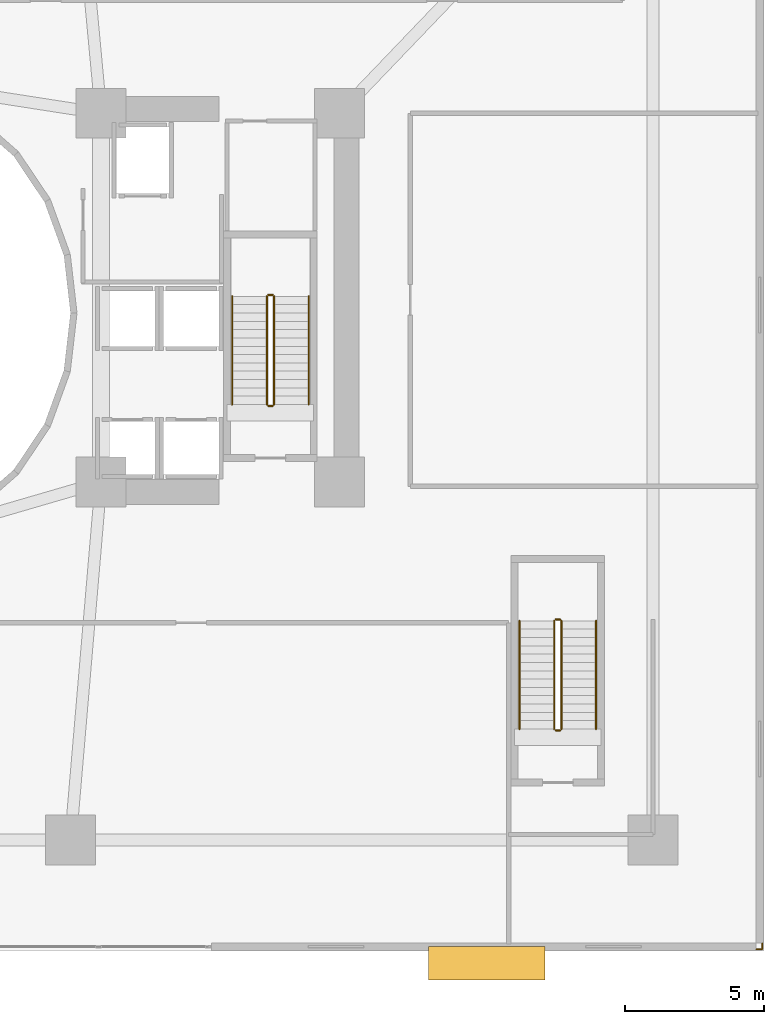
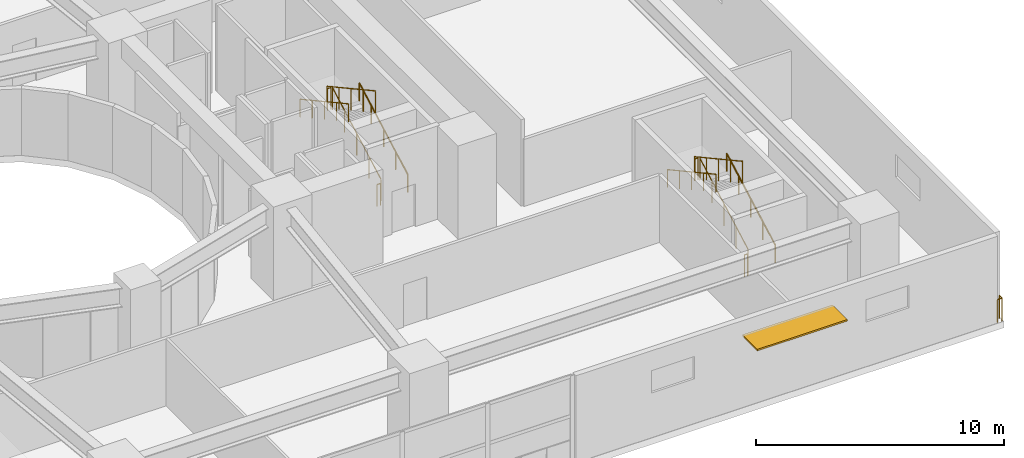
# One storey, part 18 of 20: 13 railings, 1 shading device.
"""IFC4 building model written with IfcOpenShell, lengths in metres."""

from ifc_helpers import new_model, si_unit, direction, frame, origin, origin_2d, place, context, subcontext, project, spatial, rectangle, circle, extrude, material, layer, layer_set, type_object, element, save


model = new_model("IFC4")

# Units and contexts
model_context = context("Model", 3, precision=1e-05, world=origin(), true_north=direction((0.0, 1.0)))
body_context = subcontext(model_context, "Body", "Model", "MODEL_VIEW")
ifc_project = project(units=[si_unit("LENGTHUNIT", "METRE"), si_unit("AREAUNIT", "SQUARE_METRE"), si_unit("VOLUMEUNIT", "CUBIC_METRE"), si_unit("PLANEANGLEUNIT", "RADIAN"), si_unit("MASSUNIT", "GRAM", prefix="KILO")], contexts=[model_context])

# Site, building, storey
site_placement = place(None, origin())
site = spatial("IfcSite", under=ifc_project, at=site_placement, CompositionType="ELEMENT")
building_placement = place(site_placement, origin())
building = spatial("IfcBuilding", under=site, at=building_placement, Name="Solvane Sanctuary Tower", CompositionType="ELEMENT")
storey_placement = place(building_placement, frame((0.0, 0.0, 18.39990234375)))
storey = spatial("IfcBuildingStorey", under=building, at=storey_placement, Name="L05", CompositionType="ELEMENT", Elevation=18.39990234375)

# Railings
ifc_material_1 = material(Name="Architectural Stainless Steel 316", Category="steel")
railing_type_1 = type_object("IfcRailingType", Name="Railing GR-BALC-1150", PredefinedType="BALUSTRADE", material=ifc_material_1)
railing_1_placement = place(storey_placement, frame((63.93994140625, 0.280029296875, 0.0)))
element("IfcRailing", 1, at=railing_1_placement, inside=storey, type_object=railing_type_1, Name="L05 Perimeter Slab Edge Guardrail 04", PredefinedType="BALUSTRADE", context=body_context, shape_type="SweptSolid", body=[
    extrude(circle(Radius=0.02392578125, at=origin_2d()), frame((0.0, 0.0, 1.1259765625), z_axis=(0.0, -1.0, 0.0), x_axis=(1.0, 0.0, 0.0)), (0.0, 0.0, 1.0), 0.219970703125),
    extrude(circle(Radius=0.02392578125, at=origin_2d()), frame((0.0, -0.219970703125, 1.1259765625), z_axis=(-1.0, 0.0, 0.0), x_axis=(0.0, -1.0, 0.0)), (0.0, 0.0, 1.0), 0.219970703125),
    extrude(circle(Radius=0.02099609375, at=origin_2d()), origin(), (0.0, 0.0, 1.0), 1.101806640625),
    extrude(circle(Radius=0.02099609375, at=origin_2d()), frame((0.0, -0.219970703125, 0.0)), (0.0, 0.0, 1.0), 1.101806640625),
    extrude(circle(Radius=0.02099609375, at=origin_2d()), frame((-0.219970703125, -0.219970703125, 0.0)), (0.0, 0.0, 1.0), 1.101806640625),
])
railing_2_placement = place(storey_placement, frame((46.340087890625, 19.699951171875, 0.164306640625)))
element("IfcRailing", 2, at=railing_2_placement, inside=storey, type_object=railing_type_1, Name="L05 ST-2 stair guard 1", PredefinedType="BALUSTRADE", context=body_context, shape_type="SweptSolid", body=[
    extrude(circle(Radius=0.02392578125, at=origin_2d()), frame((0.0, 0.0, 1.076171875), z_axis=(0.0, 0.877101224295, 0.480305571839), x_axis=(-1.0, 0.0, 0.0)), (0.0, 0.0, 1.0), 4.446533203125),
    extrude(circle(Radius=0.02099609375, at=origin_2d()), origin(), (0.0, 0.0, 1.0), 1.052001953125),
    extrude(circle(Radius=0.02099609375, at=origin_2d()), frame((0.0, 0.97509765625, 0.533935546875)), (0.0, 0.0, 1.0), 1.052001953125),
    extrude(circle(Radius=0.02099609375, at=origin_2d()), frame((0.0, 1.9501953125, 1.06787109375)), (0.0, 0.0, 1.0), 1.052001953125),
    extrude(circle(Radius=0.02099609375, at=origin_2d()), frame((0.0, 2.925048828125, 1.601806640625)), (0.0, 0.0, 1.0), 1.052001953125),
    extrude(circle(Radius=0.02099609375, at=origin_2d()), frame((0.0, 3.900146484375, 2.1357421875)), (0.0, 0.0, 1.0), 1.052001953125),
])
railing_3_placement = place(storey_placement, frame((46.2900390625, 23.64990234375, 2.300048828125)))
element("IfcRailing", 3, at=railing_3_placement, inside=storey, type_object=railing_type_1, Name="L05 ST-2 stair guard 2", PredefinedType="BALUSTRADE", context=body_context, shape_type="SweptSolid", body=[
    extrude(circle(Radius=0.02392578125, at=origin_2d()), frame((0.0, 0.0, 1.076171875), z_axis=(-1.0, 0.0, 0.0), x_axis=(0.0, -1.0, 0.0)), (0.0, 0.0, 1.0), 0.16015625),
    extrude(circle(Radius=0.02099609375, at=origin_2d()), origin(), (0.0, 0.0, 1.0), 1.052001953125),
    extrude(circle(Radius=0.02099609375, at=origin_2d()), frame((-0.16015625, 0.0, 0.0)), (0.0, 0.0, 1.0), 1.052001953125),
])
railing_4_placement = place(storey_placement, frame((46.080078125, 23.60009765625, 2.46435546875)))
element("IfcRailing", 4, at=railing_4_placement, inside=storey, type_object=railing_type_1, Name="L05 ST-2 stair guard 3", PredefinedType="BALUSTRADE", context=body_context, shape_type="SweptSolid", body=[
    extrude(circle(Radius=0.02392578125, at=origin_2d()), frame((0.0, 0.0, 1.076171875), z_axis=(0.0, -0.877101224295, 0.480305571839), x_axis=(1.0, 0.0, 0.0)), (0.0, 0.0, 1.0), 4.446533203125),
    extrude(circle(Radius=0.02099609375, at=origin_2d()), origin(), (0.0, 0.0, 1.0), 1.052001953125),
    extrude(circle(Radius=0.02099609375, at=origin_2d()), frame((0.0, -0.97509765625, 0.533935546875)), (0.0, 0.0, 1.0), 1.052001953125),
    extrude(circle(Radius=0.02099609375, at=origin_2d()), frame((0.0, -1.9501953125, 1.06787109375)), (0.0, 0.0, 1.0), 1.052001953125),
    extrude(circle(Radius=0.02099609375, at=origin_2d()), frame((0.0, -2.925048828125, 1.601806640625)), (0.0, 0.0, 1.0), 1.052001953125),
    extrude(circle(Radius=0.02099609375, at=origin_2d()), frame((0.0, -3.900146484375, 2.1357421875)), (0.0, 0.0, 1.0), 1.052001953125),
])
railing_5_placement = place(storey_placement, frame((46.2900390625, 19.64990234375, 0.0)))
element("IfcRailing", 5, at=railing_5_placement, inside=storey, type_object=railing_type_1, Name="L05 ST-2 stair guard 4", PredefinedType="BALUSTRADE", context=body_context, shape_type="SweptSolid", body=[
    extrude(circle(Radius=0.02392578125, at=origin_2d()), frame((0.0, 0.0, 1.076171875), z_axis=(-1.0, 0.0, 0.0), x_axis=(0.0, -1.0, 0.0)), (0.0, 0.0, 1.0), 0.16015625),
    extrude(circle(Radius=0.02099609375, at=origin_2d()), origin(), (0.0, 0.0, 1.0), 1.052001953125),
    extrude(circle(Radius=0.02099609375, at=origin_2d()), frame((-0.16015625, 0.0, 0.0)), (0.0, 0.0, 1.0), 1.052001953125),
])
railing_6_placement = place(storey_placement, frame((56.699951171875, 8.0, 0.164306640625)))
element("IfcRailing", 6, at=railing_6_placement, inside=storey, type_object=railing_type_1, Name="L05 ST-5 stair guard 1", PredefinedType="BALUSTRADE", context=body_context, shape_type="SweptSolid", body=[
    extrude(circle(Radius=0.02392578125, at=origin_2d()), frame((0.0, 0.0, 1.076171875), z_axis=(0.0, 0.877088557246, 0.480328702816), x_axis=(-1.0, 0.0, 0.0)), (0.0, 0.0, 1.0), 4.446533203125),
    extrude(circle(Radius=0.02099609375, at=origin_2d()), origin(), (0.0, 0.0, 1.0), 1.052001953125),
    extrude(circle(Radius=0.02099609375, at=origin_2d()), frame((0.0, 0.97509765625, 0.533935546875)), (0.0, 0.0, 1.0), 1.052001953125),
    extrude(circle(Radius=0.02099609375, at=origin_2d()), frame((0.0, 1.949951171875, 1.06787109375)), (0.0, 0.0, 1.0), 1.052001953125),
    extrude(circle(Radius=0.02099609375, at=origin_2d()), frame((0.0, 2.9248046875, 1.601806640625)), (0.0, 0.0, 1.0), 1.052001953125),
    extrude(circle(Radius=0.02099609375, at=origin_2d()), frame((0.0, 3.89990234375, 2.1357421875)), (0.0, 0.0, 1.0), 1.052001953125),
])
railing_7_placement = place(storey_placement, frame((56.64990234375, 11.949951171875, 2.300048828125)))
element("IfcRailing", 7, at=railing_7_placement, inside=storey, type_object=railing_type_1, Name="L05 ST-5 stair guard 2", PredefinedType="BALUSTRADE", context=body_context, shape_type="SweptSolid", body=[
    extrude(circle(Radius=0.02392578125, at=origin_2d()), frame((0.0, 0.0, 1.076171875), z_axis=(-1.0, 0.0, 0.0), x_axis=(0.0, -1.0, 0.0)), (0.0, 0.0, 1.0), 0.159912109375),
    extrude(circle(Radius=0.02099609375, at=origin_2d()), origin(), (0.0, 0.0, 1.0), 1.052001953125),
    extrude(circle(Radius=0.02099609375, at=origin_2d()), frame((-0.159912109375, 0.0, 0.0)), (0.0, 0.0, 1.0), 1.052001953125),
])
railing_8_placement = place(storey_placement, frame((56.43994140625, 11.89990234375, 2.46435546875)))
element("IfcRailing", 8, at=railing_8_placement, inside=storey, type_object=railing_type_1, Name="L05 ST-5 stair guard 3", PredefinedType="BALUSTRADE", context=body_context, shape_type="SweptSolid", body=[
    extrude(circle(Radius=0.02392578125, at=origin_2d()), frame((0.0, 0.0, 1.076171875), z_axis=(0.0, -0.877088557246, 0.480328702816), x_axis=(1.0, 0.0, 0.0)), (0.0, 0.0, 1.0), 4.446533203125),
    extrude(circle(Radius=0.02099609375, at=origin_2d()), origin(), (0.0, 0.0, 1.0), 1.052001953125),
    extrude(circle(Radius=0.02099609375, at=origin_2d()), frame((0.0, -0.97509765625, 0.533935546875)), (0.0, 0.0, 1.0), 1.052001953125),
    extrude(circle(Radius=0.02099609375, at=origin_2d()), frame((0.0, -1.949951171875, 1.06787109375)), (0.0, 0.0, 1.0), 1.052001953125),
    extrude(circle(Radius=0.02099609375, at=origin_2d()), frame((0.0, -2.9248046875, 1.601806640625)), (0.0, 0.0, 1.0), 1.052001953125),
    extrude(circle(Radius=0.02099609375, at=origin_2d()), frame((0.0, -3.89990234375, 2.1357421875)), (0.0, 0.0, 1.0), 1.052001953125),
])
railing_9_placement = place(storey_placement, frame((56.64990234375, 7.949951171875, 0.0)))
element("IfcRailing", 9, at=railing_9_placement, inside=storey, type_object=railing_type_1, Name="L05 ST-5 stair guard 4", PredefinedType="BALUSTRADE", context=body_context, shape_type="SweptSolid", body=[
    extrude(circle(Radius=0.02392578125, at=origin_2d()), frame((0.0, 0.0, 1.076171875), z_axis=(-1.0, 0.0, 0.0), x_axis=(0.0, -1.0, 0.0)), (0.0, 0.0, 1.0), 0.159912109375),
    extrude(circle(Radius=0.02099609375, at=origin_2d()), origin(), (0.0, 0.0, 1.0), 1.052001953125),
    extrude(circle(Radius=0.02099609375, at=origin_2d()), frame((-0.159912109375, 0.0, 0.0)), (0.0, 0.0, 1.0), 1.052001953125),
])
railing_type_2 = type_object("IfcRailingType", Name="Railing HR-STAIR-920", PredefinedType="HANDRAIL", material=ifc_material_1)
railing_10_placement = place(storey_placement, frame((47.590087890625, 19.699951171875, 0.164306640625)))
element("IfcRailing", 10, at=railing_10_placement, inside=storey, type_object=railing_type_2, Name="L05 ST-2 stair handrail 1", PredefinedType="HANDRAIL", context=body_context, shape_type="SweptSolid", body=[
    extrude(circle(Radius=0.02392578125, at=origin_2d()), frame((0.0, 0.0, 0.8759765625), z_axis=(0.0, 0.877101224295, 0.480305571839), x_axis=(-1.0, 0.0, 0.0)), (0.0, 0.0, 1.0), 4.446533203125),
    extrude(circle(Radius=0.02099609375, at=origin_2d()), origin(), (0.0, 0.0, 1.0), 0.851806640625),
    extrude(circle(Radius=0.02099609375, at=origin_2d()), frame((0.0, 0.97509765625, 0.533935546875)), (0.0, 0.0, 1.0), 0.851806640625),
    extrude(circle(Radius=0.02099609375, at=origin_2d()), frame((0.0, 1.9501953125, 1.06787109375)), (0.0, 0.0, 1.0), 0.851806640625),
    extrude(circle(Radius=0.02099609375, at=origin_2d()), frame((0.0, 2.925048828125, 1.601806640625)), (0.0, 0.0, 1.0), 0.851806640625),
    extrude(circle(Radius=0.02099609375, at=origin_2d()), frame((0.0, 3.900146484375, 2.1357421875)), (0.0, 0.0, 1.0), 0.851806640625),
])
railing_11_placement = place(storey_placement, frame((44.830078125, 23.60009765625, 2.46435546875)))
element("IfcRailing", 11, at=railing_11_placement, inside=storey, type_object=railing_type_2, Name="L05 ST-2 stair handrail 2", PredefinedType="HANDRAIL", context=body_context, shape_type="SweptSolid", body=[
    extrude(circle(Radius=0.02392578125, at=origin_2d()), frame((0.0, 0.0, 0.8759765625), z_axis=(0.0, -0.877101224295, 0.480305571839), x_axis=(1.0, 0.0, 0.0)), (0.0, 0.0, 1.0), 4.446533203125),
    extrude(circle(Radius=0.02099609375, at=origin_2d()), origin(), (0.0, 0.0, 1.0), 0.851806640625),
    extrude(circle(Radius=0.02099609375, at=origin_2d()), frame((0.0, -0.97509765625, 0.533935546875)), (0.0, 0.0, 1.0), 0.851806640625),
    extrude(circle(Radius=0.02099609375, at=origin_2d()), frame((0.0, -1.9501953125, 1.06787109375)), (0.0, 0.0, 1.0), 0.851806640625),
    extrude(circle(Radius=0.02099609375, at=origin_2d()), frame((0.0, -2.925048828125, 1.601806640625)), (0.0, 0.0, 1.0), 0.851806640625),
    extrude(circle(Radius=0.02099609375, at=origin_2d()), frame((0.0, -3.900146484375, 2.1357421875)), (0.0, 0.0, 1.0), 0.851806640625),
])
railing_12_placement = place(storey_placement, frame((57.949951171875, 8.0, 0.164306640625)))
element("IfcRailing", 12, at=railing_12_placement, inside=storey, type_object=railing_type_2, Name="L05 ST-5 stair handrail 1", PredefinedType="HANDRAIL", context=body_context, shape_type="SweptSolid", body=[
    extrude(circle(Radius=0.02392578125, at=origin_2d()), frame((0.0, 0.0, 0.8759765625), z_axis=(0.0, 0.877088557246, 0.480328702816), x_axis=(-1.0, 0.0, 0.0)), (0.0, 0.0, 1.0), 4.446533203125),
    extrude(circle(Radius=0.02099609375, at=origin_2d()), origin(), (0.0, 0.0, 1.0), 0.851806640625),
    extrude(circle(Radius=0.02099609375, at=origin_2d()), frame((0.0, 0.97509765625, 0.533935546875)), (0.0, 0.0, 1.0), 0.851806640625),
    extrude(circle(Radius=0.02099609375, at=origin_2d()), frame((0.0, 1.949951171875, 1.06787109375)), (0.0, 0.0, 1.0), 0.851806640625),
    extrude(circle(Radius=0.02099609375, at=origin_2d()), frame((0.0, 2.9248046875, 1.601806640625)), (0.0, 0.0, 1.0), 0.851806640625),
    extrude(circle(Radius=0.02099609375, at=origin_2d()), frame((0.0, 3.89990234375, 2.1357421875)), (0.0, 0.0, 1.0), 0.851806640625),
])
railing_13_placement = place(storey_placement, frame((55.18994140625, 11.89990234375, 2.46435546875)))
element("IfcRailing", 13, at=railing_13_placement, inside=storey, type_object=railing_type_2, Name="L05 ST-5 stair handrail 2", PredefinedType="HANDRAIL", context=body_context, shape_type="SweptSolid", body=[
    extrude(circle(Radius=0.02392578125, at=origin_2d()), frame((0.0, 0.0, 0.8759765625), z_axis=(0.0, -0.877088557246, 0.480328702816), x_axis=(1.0, 0.0, 0.0)), (0.0, 0.0, 1.0), 4.446533203125),
    extrude(circle(Radius=0.02099609375, at=origin_2d()), origin(), (0.0, 0.0, 1.0), 0.851806640625),
    extrude(circle(Radius=0.02099609375, at=origin_2d()), frame((0.0, -0.97509765625, 0.533935546875)), (0.0, 0.0, 1.0), 0.851806640625),
    extrude(circle(Radius=0.02099609375, at=origin_2d()), frame((0.0, -1.949951171875, 1.06787109375)), (0.0, 0.0, 1.0), 0.851806640625),
    extrude(circle(Radius=0.02099609375, at=origin_2d()), frame((0.0, -2.9248046875, 1.601806640625)), (0.0, 0.0, 1.0), 0.851806640625),
    extrude(circle(Radius=0.02099609375, at=origin_2d()), frame((0.0, -3.89990234375, 2.1357421875)), (0.0, 0.0, 1.0), 0.851806640625),
])

# Shading device
ifc_material_2 = material(Name="Anodised Aluminium 6063-T6", Category="aluminium")
ifc_layer = layer(ifc_material_2, 0.080078125, Name="Anodised Aluminium 6063-T6")
ifc_layer_set = layer_set([ifc_layer], Name="Anodised Aluminium 6063-T6")
shading_device_type = type_object("IfcShadingDeviceType", Name="Shading SHD-SUNSHADE", PredefinedType="AWNING", material=ifc_layer_set)
shading_device_placement = place(storey_placement, frame((54.0, -0.449951171875, 3.41015625), z_axis=(0.0, 0.0, 1.0), x_axis=(1.0, 0.0, 0.0)))
element("IfcShadingDevice", 14, at=shading_device_placement, inside=storey, type_object=shading_device_type, Name="L05 Tropical Sunshade Canopy S2", PredefinedType="AWNING", context=body_context, shape_type="SweptSolid", body=[
    extrude(rectangle(XDim=4.199951171875, YDim=1.199951171875, at=origin_2d()), origin(), (0.0, 0.0, 1.0), 0.080078125),
])

save(model, "model.ifc")
